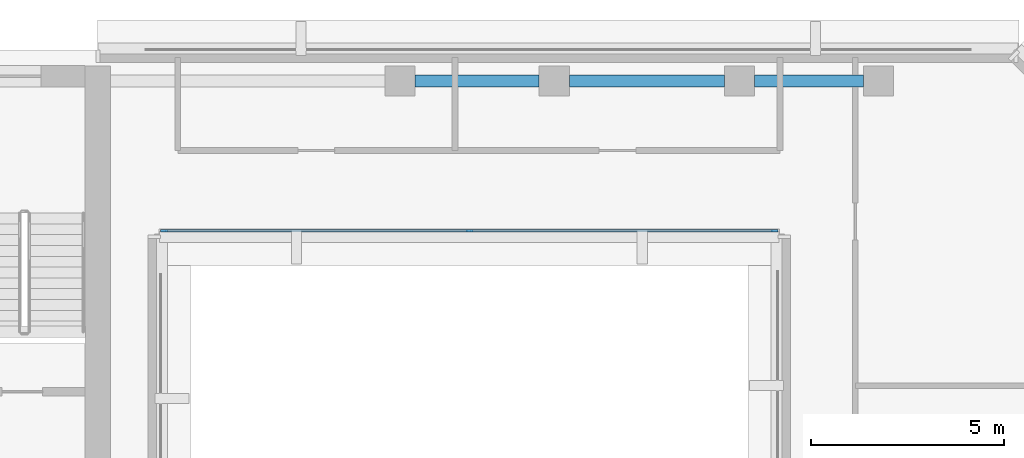
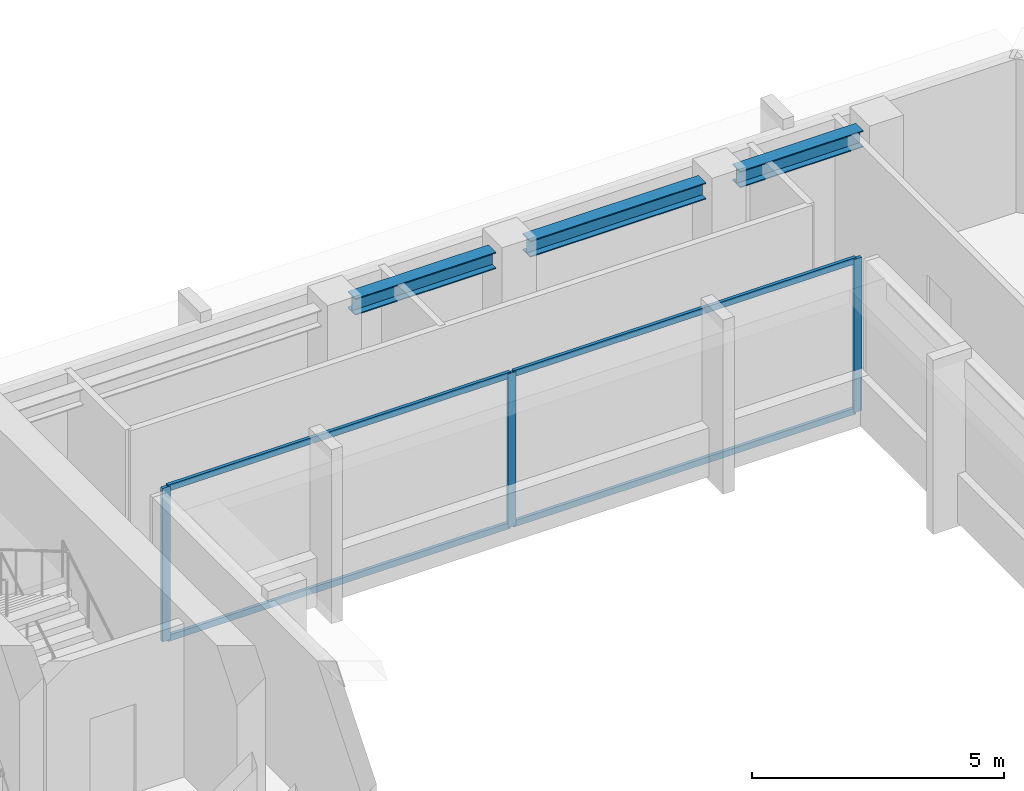
# One storey, part 4 of 11: 7 members, 3 beams, 1 element without a shape of its own.
"""IFC4 building model written with IfcOpenShell, lengths in metres."""

from ifc_helpers import new_model, si_unit, direction, frame, origin, origin_2d, place, context, subcontext, project, spatial, rectangle, i_section, extrude, material, layer, layer_set, material_profile, profile_set, type_object, element, aggregate, save


model = new_model("IFC4")

# Units and contexts
model_context = context("Model", 3, precision=1e-05, world=origin(), true_north=direction((0.0, 1.0)))
body_context = subcontext(model_context, "Body", "Model", "MODEL_VIEW")
ifc_project = project(units=[si_unit("LENGTHUNIT", "METRE"), si_unit("AREAUNIT", "SQUARE_METRE"), si_unit("VOLUMEUNIT", "CUBIC_METRE"), si_unit("PLANEANGLEUNIT", "RADIAN"), si_unit("MASSUNIT", "GRAM", prefix="KILO")], contexts=[model_context])

# Site, building, storey
site_placement = place(None, origin())
site = spatial("IfcSite", under=ifc_project, at=site_placement, CompositionType="ELEMENT")
building_placement = place(site_placement, origin())
building = spatial("IfcBuilding", under=site, at=building_placement, Name="Kefirva Bronze Tower", CompositionType="ELEMENT")
storey_placement = place(building_placement, frame((0.0, 0.0, 243.5400390625)))
storey = spatial("IfcBuildingStorey", under=building, at=storey_placement, Name="L59", CompositionType="ELEMENT", Elevation=243.5400390625)

# Curtain wall, members
ifc_material_1 = material(Name="Bronze anodised aluminium", Category="aluminium")
ifc_layer = layer(ifc_material_1, 0.179931640625, Name="Bronze anodised aluminium")
ifc_layer_set = layer_set([ifc_layer], Name="Bronze anodised aluminium")
curtain_wall_type = type_object("IfcCurtainWallType", Name="Unitised Bronze Ribbon Curtain Wall Zone 3", PredefinedType="USERDEFINED", material=ifc_layer_set)
curtain_wall_placement = place(storey_placement, origin())
curtain_wall = element("IfcCurtainWall", 1, at=curtain_wall_placement, inside=storey, type_object=curtain_wall_type, Name="L59 Curtain Wall 2", ObjectType="UNITISED CURTAIN WALL", PredefinedType="USERDEFINED")
ifc_material_profile_1 = material_profile(ifc_material_1, rectangle(XDim=0.074951171875, YDim=0.179931640625, at=origin_2d()), Name="ALU 75x180")
ifc_profile_set_1 = profile_set([ifc_material_profile_1], Name="Bronze anodised aluminium")
member_type_1 = type_object("IfcMemberType", Name="Bronze Mullion 75x180", PredefinedType="MULLION", material=ifc_profile_set_1)
member_1_placement = place(storey_placement, frame((25.092529296875, 41.320068359375, 0.0), z_axis=(0.0, 0.0, 1.0), x_axis=(0.0, 1.0, 0.0)))
member_1 = element("IfcMember", 2, at=member_1_placement, type_object=member_type_1, Name="CW-03 mullion 1", PredefinedType="MULLION", context=body_context, shape_type="SweptSolid", body=[
    extrude(rectangle(XDim=0.074951171875, YDim=0.179931640625, at=origin_2d()), origin(), (0.0, 0.0, 1.0), 3.7099609375),
])
member_2_placement = place(storey_placement, frame((33.0, 41.320068359375, 0.0), z_axis=(0.0, 0.0, 1.0), x_axis=(0.0, 1.0, 0.0)))
member_2 = element("IfcMember", 3, at=member_2_placement, type_object=member_type_1, Name="CW-03 mullion 2", PredefinedType="MULLION", context=body_context, shape_type="SweptSolid", body=[
    extrude(rectangle(XDim=0.074951171875, YDim=0.179931640625, at=origin_2d()), origin(), (0.0, 0.0, 1.0), 3.7099609375),
])
member_3_placement = place(storey_placement, frame((40.907470703125, 41.320068359375, 0.0), z_axis=(0.0, 0.0, 1.0), x_axis=(0.0, 1.0, 0.0)))
member_3 = element("IfcMember", 4, at=member_3_placement, type_object=member_type_1, Name="CW-03 mullion 3", PredefinedType="MULLION", context=body_context, shape_type="SweptSolid", body=[
    extrude(rectangle(XDim=0.074951171875, YDim=0.179931640625, at=origin_2d()), origin(), (0.0, 0.0, 1.0), 3.7099609375),
])
ifc_material_profile_2 = material_profile(ifc_material_1, rectangle(XDim=0.074951171875, YDim=0.14990234375, at=origin_2d()), Name="ALU 75x150")
ifc_profile_set_2 = profile_set([ifc_material_profile_2], Name="Bronze anodised aluminium")
member_type_2 = type_object("IfcMemberType", Name="Bronze Transom 75x150", PredefinedType="USERDEFINED", material=ifc_profile_set_2)
member_4_placement = place(storey_placement, frame((25.1298828125, 41.320068359375, 0.037353515625), z_axis=(1.0, 0.0, 0.0), x_axis=(0.0, 1.0, 0.0)))
member_4 = element("IfcMember", 5, at=member_4_placement, type_object=member_type_2, Name="CW-03 transom 1.1", ObjectType="TRANSOM", PredefinedType="USERDEFINED", context=body_context, shape_type="SweptSolid", body=[
    extrude(rectangle(XDim=0.074951171875, YDim=0.14990234375, at=origin_2d()), origin(), (0.0, 0.0, 1.0), 7.83251953125),
])
member_5_placement = place(storey_placement, frame((25.1298828125, 41.320068359375, 3.67236328125), z_axis=(1.0, 0.0, 0.0), x_axis=(0.0, 1.0, 0.0)))
member_5 = element("IfcMember", 6, at=member_5_placement, type_object=member_type_2, Name="CW-03 transom 1.2", ObjectType="TRANSOM", PredefinedType="USERDEFINED", context=body_context, shape_type="SweptSolid", body=[
    extrude(rectangle(XDim=0.074951171875, YDim=0.14990234375, at=origin_2d()), origin(), (0.0, 0.0, 1.0), 7.83251953125),
])
member_6_placement = place(storey_placement, frame((33.03759765625, 41.320068359375, 0.037353515625), z_axis=(1.0, 0.0, 0.0), x_axis=(0.0, 1.0, 0.0)))
member_6 = element("IfcMember", 7, at=member_6_placement, type_object=member_type_2, Name="CW-03 transom 2.1", ObjectType="TRANSOM", PredefinedType="USERDEFINED", context=body_context, shape_type="SweptSolid", body=[
    extrude(rectangle(XDim=0.074951171875, YDim=0.14990234375, at=origin_2d()), origin(), (0.0, 0.0, 1.0), 7.83251953125),
])
member_7_placement = place(storey_placement, frame((33.03759765625, 41.320068359375, 3.67236328125), z_axis=(1.0, 0.0, 0.0), x_axis=(0.0, 1.0, 0.0)))
member_7 = element("IfcMember", 8, at=member_7_placement, type_object=member_type_2, Name="CW-03 transom 2.2", ObjectType="TRANSOM", PredefinedType="USERDEFINED", context=body_context, shape_type="SweptSolid", body=[
    extrude(rectangle(XDim=0.074951171875, YDim=0.14990234375, at=origin_2d()), origin(), (0.0, 0.0, 1.0), 7.83251953125),
])
aggregate(curtain_wall, [member_1, member_2, member_3, member_4, member_5, member_6, member_7])

# Beams
ifc_material_2 = material(Name="Steel S355", Category="steel")
ifc_material_profile_3 = material_profile(ifc_material_2, i_section(OverallWidth=0.300048828125, OverallDepth=0.39990234375, WebThickness=0.013427734375, FlangeThickness=0.02392578125, at=origin_2d()), Name="HEB 400")
ifc_profile_set_3 = profile_set([ifc_material_profile_3], Name="Steel S355")
beam_type = type_object("IfcBeamType", Name="Steel Spandrel HEB 400 Ext", PredefinedType="SPANDREL", material=ifc_profile_set_3)
beam_1_placement = place(storey_placement, frame((31.590087890625, 45.199951171875, 3.510009765625), z_axis=(1.0, 0.0, 0.0), x_axis=(0.0, 1.0, 0.0)))
element("IfcBeam", 9, at=beam_1_placement, inside=storey, type_object=beam_type, Name="L59 BM-L59-EW-31-452", PredefinedType="SPANDREL", context=body_context, shape_type="SweptSolid", body=[
    extrude(i_section(OverallWidth=0.300048828125, OverallDepth=0.39990234375, WebThickness=0.013427734375, FlangeThickness=0.02392578125, at=origin_2d()), origin(), (0.0, 0.0, 1.0), 3.219970703125),
])
beam_2_placement = place(storey_placement, frame((35.590087890625, 45.199951171875, 3.510009765625), z_axis=(1.0, 0.0, 0.0), x_axis=(0.0, 1.0, 0.0)))
element("IfcBeam", 10, at=beam_2_placement, inside=storey, type_object=beam_type, Name="L59 BM-L59-EW-35-452", PredefinedType="SPANDREL", context=body_context, shape_type="SweptSolid", body=[
    extrude(i_section(OverallWidth=0.300048828125, OverallDepth=0.39990234375, WebThickness=0.013427734375, FlangeThickness=0.02392578125, at=origin_2d()), origin(), (0.0, 0.0, 1.0), 4.02001953125),
])
beam_3_placement = place(storey_placement, frame((40.389892578125, 45.199951171875, 3.510009765625), z_axis=(1.0, 0.0, 0.0), x_axis=(0.0, 1.0, 0.0)))
element("IfcBeam", 11, at=beam_3_placement, inside=storey, type_object=beam_type, Name="L59 BM-L59-EW-40-452", PredefinedType="SPANDREL", context=body_context, shape_type="SweptSolid", body=[
    extrude(i_section(OverallWidth=0.300048828125, OverallDepth=0.39990234375, WebThickness=0.013427734375, FlangeThickness=0.02392578125, at=origin_2d()), origin(), (0.0, 0.0, 1.0), 2.820068359375),
])

save(model, "model.ifc")
